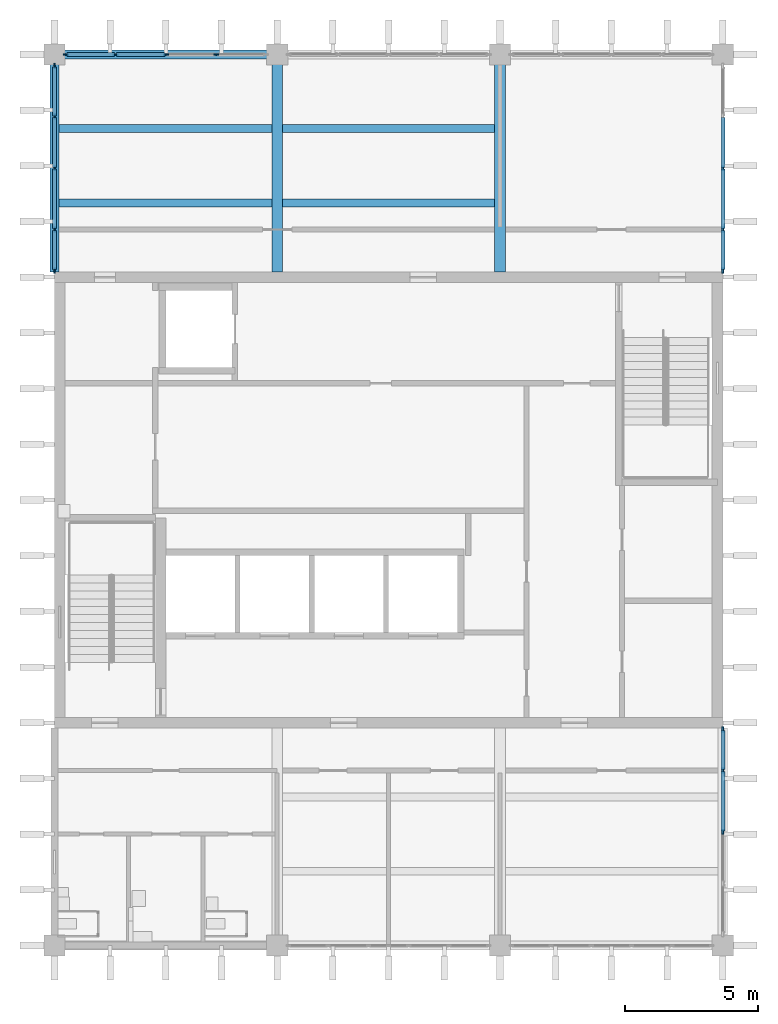
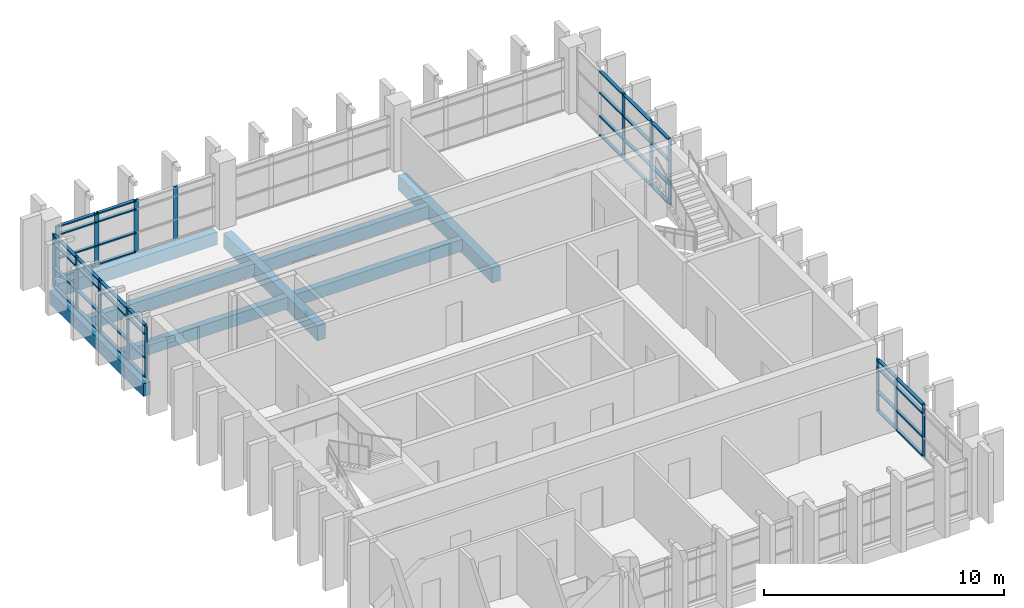
# One storey, part 3 of 11: 59 members, 8 beams, 4 elements without a shape of their own.
"""IFC4 building model written with IfcOpenShell, lengths in metres."""

from ifc_helpers import new_model, si_unit, direction, frame, origin, origin_2d, place, context, subcontext, project, spatial, rectangle, extrude, material, layer, layer_set, material_profile, profile_set, type_object, element, aggregate, save


model = new_model("IFC4")

# Units and contexts
model_context = context("Model", 3, precision=1e-05, world=origin(), true_north=direction((0.0, 1.0)))
body_context = subcontext(model_context, "Body", "Model", "MODEL_VIEW")
ifc_project = project(units=[si_unit("LENGTHUNIT", "METRE"), si_unit("AREAUNIT", "SQUARE_METRE"), si_unit("VOLUMEUNIT", "CUBIC_METRE"), si_unit("PLANEANGLEUNIT", "RADIAN"), si_unit("MASSUNIT", "GRAM", prefix="KILO")], contexts=[model_context])

# Site, building, storey
site_placement = place(None, origin())
site = spatial("IfcSite", under=ifc_project, at=site_placement, CompositionType="ELEMENT")
building_placement = place(site_placement, origin())
building = spatial("IfcBuilding", under=site, at=building_placement, Name="Rulbaag Community and Learning Centre", CompositionType="ELEMENT")
storey_placement = place(building_placement, frame((0.0, 0.0, 43.199951171875)))
storey = spatial("IfcBuildingStorey", under=building, at=storey_placement, Name="L11", CompositionType="ELEMENT", Elevation=43.199951171875)

# Beams
ifc_material_1 = material(Name="Concrete M40", Category="concrete")
ifc_material_profile_1 = material_profile(ifc_material_1, rectangle(XDim=0.35009765625, YDim=0.64990234375, at=origin_2d()), Name="RB350x650")
ifc_profile_set_1 = profile_set([ifc_material_profile_1], Name="Concrete M40")
beam_type_1 = type_object("IfcBeamType", Name="B14 Tower edge beam, upper zone 350x650 Concrete M40", PredefinedType="BEAM", material=ifc_profile_set_1)
beam_1_placement = place(storey_placement, frame((142.800048828125, 109.39990234375, -0.550048828125), z_axis=(0.0, 1.0, 0.0), x_axis=(-1.0, 0.0, 0.0)))
element("IfcBeam", 1, at=beam_1_placement, inside=storey, type_object=beam_type_1, Name="BM-L11-18N-18O", PredefinedType="BEAM", context=body_context, shape_type="SweptSolid", body=[
    extrude(rectangle(XDim=0.35009765625, YDim=0.64990234375, at=origin_2d()), origin(), (0.0, 0.0, 1.0), 7.820068359375),
])
beam_2_placement = place(storey_placement, frame((143.179931640625, 117.60009765625, -0.550048828125), z_axis=(1.0, 0.0, 0.0), x_axis=(0.0, 1.0, 0.0)))
element("IfcBeam", 2, at=beam_2_placement, inside=storey, type_object=beam_type_1, Name="BM-L11-18O-19O", PredefinedType="BEAM", context=body_context, shape_type="SweptSolid", body=[
    extrude(rectangle(XDim=0.35009765625, YDim=0.64990234375, at=origin_2d()), origin(), (0.0, 0.0, 1.0), 7.64013671875),
])
ifc_material_profile_2 = material_profile(ifc_material_1, rectangle(XDim=0.39990234375, YDim=0.75, at=origin_2d()), Name="RB400x750")
ifc_profile_set_2 = profile_set([ifc_material_profile_2], Name="Concrete M40")
beam_type_2 = type_object("IfcBeamType", Name="B15 Tower frame beam, middle zone 400x750 Concrete M40", PredefinedType="BEAM", material=ifc_profile_set_2)
for number, where, z_axis, x_axis, name in (
    (3, (151.199951171875, 109.39990234375, -0.599853515625), (0.0, 1.0, 0.0), (-1.0, 0.0, 0.0), "BM-L11-19N-19O"),
    (4, (159.60009765625, 109.39990234375, -0.599853515625), (0.0, 1.0, 0.0), (-1.0, 0.0, 0.0), "BM-L11-20N-20O"),
):
    element("IfcBeam", number, at=place(storey_placement, frame(where, z_axis=z_axis, x_axis=x_axis)), inside=storey, type_object=beam_type_2, Name=name, PredefinedType="BEAM", context=body_context, shape_type="SweptSolid", body=[
        extrude(rectangle(XDim=0.39990234375, YDim=0.75, at=origin_2d()), origin(), (0.0, 0.0, 1.0), 7.820068359375),
    ])
ifc_material_profile_3 = material_profile(ifc_material_1, rectangle(XDim=0.300048828125, YDim=0.60009765625, at=origin_2d()), Name="RB300x600")
ifc_profile_set_3 = profile_set([ifc_material_profile_3], Name="Concrete M40")
beam_type_3 = type_object("IfcBeamType", Name="B30 Secondary joist 300x600 Concrete M40", PredefinedType="BEAM", material=ifc_profile_set_3)
for number, where, z_axis, x_axis, name in (
    (5, (142.97509765625, 112.0, -0.52490234375), (1.0, 0.0, 0.0), (0.0, 1.0, 0.0), "BM-JS-L11-18N-1"),
    (6, (142.97509765625, 114.800048828125, -0.52490234375), (1.0, 0.0, 0.0), (0.0, 1.0, 0.0), "BM-JS-L11-18N-2"),
):
    element("IfcBeam", number, at=place(storey_placement, frame(where, z_axis=z_axis, x_axis=x_axis)), inside=storey, type_object=beam_type_3, Name=name, PredefinedType="BEAM", context=body_context, shape_type="SweptSolid", body=[
        extrude(rectangle(XDim=0.300048828125, YDim=0.60009765625, at=origin_2d()), origin(), (0.0, 0.0, 1.0), 8.02490234375),
    ])
for number, where, z_axis, x_axis, name in (
    (7, (151.39990234375, 112.0, -0.52490234375), (1.0, 0.0, 0.0), (0.0, 1.0, 0.0), "BM-JS-L11-19N-1"),
    (8, (151.39990234375, 114.800048828125, -0.52490234375), (1.0, 0.0, 0.0), (0.0, 1.0, 0.0), "BM-JS-L11-19N-2"),
):
    element("IfcBeam", number, at=place(storey_placement, frame(where, z_axis=z_axis, x_axis=x_axis)), inside=storey, type_object=beam_type_3, Name=name, PredefinedType="BEAM", context=body_context, shape_type="SweptSolid", body=[
        extrude(rectangle(XDim=0.300048828125, YDim=0.60009765625, at=origin_2d()), origin(), (0.0, 0.0, 1.0), 8.0),
    ])

# Curtain wall, members
ifc_material_2 = material(Name="Aluminium", Category="aluminium")
ifc_layer = layer(ifc_material_2, 0.14990234375)
ifc_layer_set = layer_set([ifc_layer], Name="CW-T")
curtain_wall_type = type_object("IfcCurtainWallType", Name="CW-T", PredefinedType="USERDEFINED", material=ifc_layer_set)
curtain_wall_1_placement = place(storey_placement, origin())
curtain_wall_1 = element("IfcCurtainWall", 9, at=curtain_wall_1_placement, inside=storey, type_object=curtain_wall_type, Name="GT-L11-01", ObjectType="UNITISED CURTAIN WALL", PredefinedType="USERDEFINED")
ifc_material_3 = material(Name="Aluminium mullion", Category="aluminium")
ifc_material_profile_4 = material_profile(ifc_material_3, rectangle(XDim=0.06494140625, YDim=0.199951171875, at=origin_2d()), Name="AL 65x200")
ifc_profile_set_4 = profile_set([ifc_material_profile_4], Name="Aluminium mullion")
member_type_1 = type_object("IfcMemberType", Name="CW-T-MUL", PredefinedType="MULLION", material=ifc_profile_set_4)
member_1_placement = place(storey_placement, frame((143.232421875, 117.60009765625, 0.0), z_axis=(0.0, 0.0, 1.0), x_axis=(0.0, 1.0, 0.0)))
member_1 = element("IfcMember", 10, at=member_1_placement, type_object=member_type_1, Name="GT mullion 1", PredefinedType="MULLION", context=body_context, shape_type="SweptSolid", body=[
    extrude(rectangle(XDim=0.06494140625, YDim=0.199951171875, at=origin_2d()), origin(), (0.0, 0.0, 1.0), 2.650146484375),
])
member_2_placement = place(storey_placement, frame((145.10009765625, 117.60009765625, 0.0), z_axis=(0.0, 0.0, 1.0), x_axis=(0.0, 1.0, 0.0)))
member_2 = element("IfcMember", 11, at=member_2_placement, type_object=member_type_1, Name="GT mullion 2", PredefinedType="MULLION", context=body_context, shape_type="SweptSolid", body=[
    extrude(rectangle(XDim=0.06494140625, YDim=0.199951171875, at=origin_2d()), origin(), (0.0, 0.0, 1.0), 2.650146484375),
])
member_3_placement = place(storey_placement, frame((147.0, 117.60009765625, 0.0), z_axis=(0.0, 0.0, 1.0), x_axis=(0.0, 1.0, 0.0)))
member_3 = element("IfcMember", 12, at=member_3_placement, type_object=member_type_1, Name="GT mullion 3", PredefinedType="MULLION", context=body_context, shape_type="SweptSolid", body=[
    extrude(rectangle(XDim=0.06494140625, YDim=0.199951171875, at=origin_2d()), origin(), (0.0, 0.0, 1.0), 2.650146484375),
])
member_4_placement = place(storey_placement, frame((148.89990234375, 117.60009765625, 0.0), z_axis=(0.0, 0.0, 1.0), x_axis=(0.0, 1.0, 0.0)))
member_4 = element("IfcMember", 13, at=member_4_placement, type_object=member_type_1, Name="GT mullion 4", PredefinedType="MULLION", context=body_context, shape_type="SweptSolid", body=[
    extrude(rectangle(XDim=0.06494140625, YDim=0.199951171875, at=origin_2d()), origin(), (0.0, 0.0, 1.0), 2.650146484375),
])

curtain_wall_2_placement = place(storey_placement, origin())
curtain_wall_2 = element("IfcCurtainWall", 14, at=curtain_wall_2_placement, inside=storey, type_object=curtain_wall_type, Name="GT-L11-04", ObjectType="UNITISED CURTAIN WALL", PredefinedType="USERDEFINED")
member_5_placement = place(storey_placement, frame((142.800048828125, 109.45751953125, 0.0), z_axis=(0.0, 0.0, 1.0), x_axis=(-1.0, 0.0, 0.0)))
member_5 = element("IfcMember", 15, at=member_5_placement, type_object=member_type_1, Name="GT mullion 1", PredefinedType="MULLION", context=body_context, shape_type="SweptSolid", body=[
    extrude(rectangle(XDim=0.06494140625, YDim=0.199951171875, at=origin_2d()), origin(), (0.0, 0.0, 1.0), 2.650146484375),
])
member_6_placement = place(storey_placement, frame((142.800048828125, 111.0, 0.0), z_axis=(0.0, 0.0, 1.0), x_axis=(-1.0, 0.0, 0.0)))
member_6 = element("IfcMember", 16, at=member_6_placement, type_object=member_type_1, Name="GT mullion 2", PredefinedType="MULLION", context=body_context, shape_type="SweptSolid", body=[
    extrude(rectangle(XDim=0.06494140625, YDim=0.199951171875, at=origin_2d()), origin(), (0.0, 0.0, 1.0), 2.650146484375),
])
member_7_placement = place(storey_placement, frame((142.800048828125, 113.3125, 0.0), z_axis=(0.0, 0.0, 1.0), x_axis=(-1.0, 0.0, 0.0)))
member_7 = element("IfcMember", 17, at=member_7_placement, type_object=member_type_1, Name="GT mullion 3", PredefinedType="MULLION", context=body_context, shape_type="SweptSolid", body=[
    extrude(rectangle(XDim=0.06494140625, YDim=0.199951171875, at=origin_2d()), origin(), (0.0, 0.0, 1.0), 2.650146484375),
])
member_8_placement = place(storey_placement, frame((142.800048828125, 115.25634765625, 0.0), z_axis=(0.0, 0.0, 1.0), x_axis=(-1.0, 0.0, 0.0)))
member_8 = element("IfcMember", 18, at=member_8_placement, type_object=member_type_1, Name="GT mullion 4", PredefinedType="MULLION", context=body_context, shape_type="SweptSolid", body=[
    extrude(rectangle(XDim=0.06494140625, YDim=0.199951171875, at=origin_2d()), origin(), (0.0, 0.0, 1.0), 2.650146484375),
])
member_9_placement = place(storey_placement, frame((142.800048828125, 117.16748046875, 0.0), z_axis=(0.0, 0.0, 1.0), x_axis=(-1.0, 0.0, 0.0)))
member_9 = element("IfcMember", 19, at=member_9_placement, type_object=member_type_1, Name="GT mullion 5", PredefinedType="MULLION", context=body_context, shape_type="SweptSolid", body=[
    extrude(rectangle(XDim=0.06494140625, YDim=0.199951171875, at=origin_2d()), origin(), (0.0, 0.0, 1.0), 2.650146484375),
])

curtain_wall_3_placement = place(storey_placement, origin())
curtain_wall_3 = element("IfcCurtainWall", 20, at=curtain_wall_3_placement, inside=storey, type_object=curtain_wall_type, Name="GT-L11-05", ObjectType="UNITISED CURTAIN WALL", PredefinedType="USERDEFINED")
member_10_placement = place(storey_placement, frame((168.0, 88.28759765625, 0.0), z_axis=(0.0, 0.0, 1.0), x_axis=(-1.0, 0.0, 0.0)))
member_10 = element("IfcMember", 21, at=member_10_placement, type_object=member_type_1, Name="GT mullion 3", PredefinedType="MULLION", context=body_context, shape_type="SweptSolid", body=[
    extrude(rectangle(XDim=0.06494140625, YDim=0.199951171875, at=origin_2d()), origin(), (0.0, 0.0, 1.0), 2.650146484375),
])
member_11_placement = place(storey_placement, frame((168.0, 90.60009765625, 0.0), z_axis=(0.0, 0.0, 1.0), x_axis=(-1.0, 0.0, 0.0)))
member_11 = element("IfcMember", 22, at=member_11_placement, type_object=member_type_1, Name="GT mullion 4", PredefinedType="MULLION", context=body_context, shape_type="SweptSolid", body=[
    extrude(rectangle(XDim=0.06494140625, YDim=0.199951171875, at=origin_2d()), origin(), (0.0, 0.0, 1.0), 2.650146484375),
])
member_12_placement = place(storey_placement, frame((168.0, 92.142578125, 0.0), z_axis=(0.0, 0.0, 1.0), x_axis=(-1.0, 0.0, 0.0)))
member_12 = element("IfcMember", 23, at=member_12_placement, type_object=member_type_1, Name="GT mullion 5", PredefinedType="MULLION", context=body_context, shape_type="SweptSolid", body=[
    extrude(rectangle(XDim=0.06494140625, YDim=0.199951171875, at=origin_2d()), origin(), (0.0, 0.0, 1.0), 2.650146484375),
])

curtain_wall_4_placement = place(storey_placement, origin())
curtain_wall_4 = element("IfcCurtainWall", 24, at=curtain_wall_4_placement, inside=storey, type_object=curtain_wall_type, Name="GT-L11-06", ObjectType="UNITISED CURTAIN WALL", PredefinedType="USERDEFINED")
member_13_placement = place(storey_placement, frame((168.0, 109.45751953125, 0.0), z_axis=(0.0, 0.0, 1.0), x_axis=(-1.0, 0.0, 0.0)))
member_13 = element("IfcMember", 25, at=member_13_placement, type_object=member_type_1, Name="GT mullion 1", PredefinedType="MULLION", context=body_context, shape_type="SweptSolid", body=[
    extrude(rectangle(XDim=0.06494140625, YDim=0.199951171875, at=origin_2d()), origin(), (0.0, 0.0, 1.0), 3.300048828125),
])
member_14_placement = place(storey_placement, frame((168.0, 111.0, 0.0), z_axis=(0.0, 0.0, 1.0), x_axis=(-1.0, 0.0, 0.0)))
member_14 = element("IfcMember", 26, at=member_14_placement, type_object=member_type_1, Name="GT mullion 2", PredefinedType="MULLION", context=body_context, shape_type="SweptSolid", body=[
    extrude(rectangle(XDim=0.06494140625, YDim=0.199951171875, at=origin_2d()), origin(), (0.0, 0.0, 1.0), 3.300048828125),
])
member_15_placement = place(storey_placement, frame((168.0, 113.3125, 0.0), z_axis=(0.0, 0.0, 1.0), x_axis=(-1.0, 0.0, 0.0)))
member_15 = element("IfcMember", 27, at=member_15_placement, type_object=member_type_1, Name="GT mullion 3", PredefinedType="MULLION", context=body_context, shape_type="SweptSolid", body=[
    extrude(rectangle(XDim=0.06494140625, YDim=0.199951171875, at=origin_2d()), origin(), (0.0, 0.0, 1.0), 3.300048828125),
])

# Member
ifc_material_4 = material(Name="Aluminium transom", Category="aluminium")
ifc_material_profile_5 = material_profile(ifc_material_4, rectangle(XDim=0.14990234375, YDim=0.06494140625, at=origin_2d()), Name="AL 65x150 T")
ifc_profile_set_5 = profile_set([ifc_material_profile_5], Name="Aluminium transom")
member_type_2 = type_object("IfcMemberType", Name="CW-T-TRN", PredefinedType="USERDEFINED", material=ifc_profile_set_5)
member_16_placement = place(storey_placement, frame((143.264892578125, 117.60009765625, 0.032470703125), z_axis=(1.0, 0.0, 0.0), x_axis=(0.0, 1.0, 0.0)))
member_16 = element("IfcMember", 28, at=member_16_placement, type_object=member_type_2, Name="GT transom 1.1", ObjectType="TRANSOM", PredefinedType="USERDEFINED", context=body_context, shape_type="SweptSolid", body=[
    extrude(rectangle(XDim=0.14990234375, YDim=0.06494140625, at=origin_2d()), origin(), (0.0, 0.0, 1.0), 1.802490234375),
])

member_17_placement = place(storey_placement, frame((143.264892578125, 117.60009765625, 1.0), z_axis=(1.0, 0.0, 0.0), x_axis=(0.0, 1.0, 0.0)))
member_17 = element("IfcMember", 29, at=member_17_placement, type_object=member_type_2, Name="GT transom 1.2", ObjectType="TRANSOM", PredefinedType="USERDEFINED", context=body_context, shape_type="SweptSolid", body=[
    extrude(rectangle(XDim=0.14990234375, YDim=0.06494140625, at=origin_2d()), origin(), (0.0, 0.0, 1.0), 1.802490234375),
])

member_18_placement = place(storey_placement, frame((143.264892578125, 117.60009765625, 2.199951171875), z_axis=(1.0, 0.0, 0.0), x_axis=(0.0, 1.0, 0.0)))
member_18 = element("IfcMember", 30, at=member_18_placement, type_object=member_type_2, Name="GT transom 1.3", ObjectType="TRANSOM", PredefinedType="USERDEFINED", context=body_context, shape_type="SweptSolid", body=[
    extrude(rectangle(XDim=0.14990234375, YDim=0.06494140625, at=origin_2d()), origin(), (0.0, 0.0, 1.0), 1.802490234375),
])

member_19_placement = place(storey_placement, frame((143.264892578125, 117.60009765625, 2.617431640625), z_axis=(1.0, 0.0, 0.0), x_axis=(0.0, 1.0, 0.0)))
member_19 = element("IfcMember", 31, at=member_19_placement, type_object=member_type_2, Name="GT transom 1.4", ObjectType="TRANSOM", PredefinedType="USERDEFINED", context=body_context, shape_type="SweptSolid", body=[
    extrude(rectangle(XDim=0.14990234375, YDim=0.06494140625, at=origin_2d()), origin(), (0.0, 0.0, 1.0), 1.802490234375),
])

member_20_placement = place(storey_placement, frame((145.132568359375, 117.60009765625, 0.032470703125), z_axis=(1.0, 0.0, 0.0), x_axis=(0.0, 1.0, 0.0)))
member_20 = element("IfcMember", 32, at=member_20_placement, type_object=member_type_2, Name="GT transom 2.1", ObjectType="TRANSOM", PredefinedType="USERDEFINED", context=body_context, shape_type="SweptSolid", body=[
    extrude(rectangle(XDim=0.14990234375, YDim=0.06494140625, at=origin_2d()), origin(), (0.0, 0.0, 1.0), 1.8349609375),
])

member_21_placement = place(storey_placement, frame((145.132568359375, 117.60009765625, 1.0), z_axis=(1.0, 0.0, 0.0), x_axis=(0.0, 1.0, 0.0)))
member_21 = element("IfcMember", 33, at=member_21_placement, type_object=member_type_2, Name="GT transom 2.2", ObjectType="TRANSOM", PredefinedType="USERDEFINED", context=body_context, shape_type="SweptSolid", body=[
    extrude(rectangle(XDim=0.14990234375, YDim=0.06494140625, at=origin_2d()), origin(), (0.0, 0.0, 1.0), 1.8349609375),
])

member_22_placement = place(storey_placement, frame((145.132568359375, 117.60009765625, 2.199951171875), z_axis=(1.0, 0.0, 0.0), x_axis=(0.0, 1.0, 0.0)))
member_22 = element("IfcMember", 34, at=member_22_placement, type_object=member_type_2, Name="GT transom 2.3", ObjectType="TRANSOM", PredefinedType="USERDEFINED", context=body_context, shape_type="SweptSolid", body=[
    extrude(rectangle(XDim=0.14990234375, YDim=0.06494140625, at=origin_2d()), origin(), (0.0, 0.0, 1.0), 1.8349609375),
])

member_23_placement = place(storey_placement, frame((145.132568359375, 117.60009765625, 2.617431640625), z_axis=(1.0, 0.0, 0.0), x_axis=(0.0, 1.0, 0.0)))
member_23 = element("IfcMember", 35, at=member_23_placement, type_object=member_type_2, Name="GT transom 2.4", ObjectType="TRANSOM", PredefinedType="USERDEFINED", context=body_context, shape_type="SweptSolid", body=[
    extrude(rectangle(XDim=0.14990234375, YDim=0.06494140625, at=origin_2d()), origin(), (0.0, 0.0, 1.0), 1.8349609375),
])

aggregate(curtain_wall_1, [member_1, member_2, member_3, member_4, member_16, member_17, member_18, member_19, member_20, member_21, member_22, member_23])

member_24_placement = place(storey_placement, frame((142.800048828125, 109.489990234375, 0.032470703125), z_axis=(0.0, 1.0, 0.0), x_axis=(-1.0, 0.0, 0.0)))
member_24 = element("IfcMember", 36, at=member_24_placement, type_object=member_type_2, Name="GT transom 1.1", ObjectType="TRANSOM", PredefinedType="USERDEFINED", context=body_context, shape_type="SweptSolid", body=[
    extrude(rectangle(XDim=0.14990234375, YDim=0.06494140625, at=origin_2d()), origin(), (0.0, 0.0, 1.0), 1.4775390625),
])

member_25_placement = place(storey_placement, frame((142.800048828125, 109.489990234375, 1.0), z_axis=(0.0, 1.0, 0.0), x_axis=(-1.0, 0.0, 0.0)))
member_25 = element("IfcMember", 37, at=member_25_placement, type_object=member_type_2, Name="GT transom 1.2", ObjectType="TRANSOM", PredefinedType="USERDEFINED", context=body_context, shape_type="SweptSolid", body=[
    extrude(rectangle(XDim=0.14990234375, YDim=0.06494140625, at=origin_2d()), origin(), (0.0, 0.0, 1.0), 1.4775390625),
])

member_26_placement = place(storey_placement, frame((142.800048828125, 109.489990234375, 2.199951171875), z_axis=(0.0, 1.0, 0.0), x_axis=(-1.0, 0.0, 0.0)))
member_26 = element("IfcMember", 38, at=member_26_placement, type_object=member_type_2, Name="GT transom 1.3", ObjectType="TRANSOM", PredefinedType="USERDEFINED", context=body_context, shape_type="SweptSolid", body=[
    extrude(rectangle(XDim=0.14990234375, YDim=0.06494140625, at=origin_2d()), origin(), (0.0, 0.0, 1.0), 1.4775390625),
])

member_27_placement = place(storey_placement, frame((142.800048828125, 109.489990234375, 2.617431640625), z_axis=(0.0, 1.0, 0.0), x_axis=(-1.0, 0.0, 0.0)))
member_27 = element("IfcMember", 39, at=member_27_placement, type_object=member_type_2, Name="GT transom 1.4", ObjectType="TRANSOM", PredefinedType="USERDEFINED", context=body_context, shape_type="SweptSolid", body=[
    extrude(rectangle(XDim=0.14990234375, YDim=0.06494140625, at=origin_2d()), origin(), (0.0, 0.0, 1.0), 1.4775390625),
])

member_28_placement = place(storey_placement, frame((142.800048828125, 111.032470703125, 0.032470703125), z_axis=(0.0, 1.0, 0.0), x_axis=(-1.0, 0.0, 0.0)))
member_28 = element("IfcMember", 40, at=member_28_placement, type_object=member_type_2, Name="GT transom 2.1", ObjectType="TRANSOM", PredefinedType="USERDEFINED", context=body_context, shape_type="SweptSolid", body=[
    extrude(rectangle(XDim=0.14990234375, YDim=0.06494140625, at=origin_2d()), origin(), (0.0, 0.0, 1.0), 2.24755859375),
])

member_29_placement = place(storey_placement, frame((142.800048828125, 111.032470703125, 1.0), z_axis=(0.0, 1.0, 0.0), x_axis=(-1.0, 0.0, 0.0)))
member_29 = element("IfcMember", 41, at=member_29_placement, type_object=member_type_2, Name="GT transom 2.2", ObjectType="TRANSOM", PredefinedType="USERDEFINED", context=body_context, shape_type="SweptSolid", body=[
    extrude(rectangle(XDim=0.14990234375, YDim=0.06494140625, at=origin_2d()), origin(), (0.0, 0.0, 1.0), 2.24755859375),
])

member_30_placement = place(storey_placement, frame((142.800048828125, 111.032470703125, 2.199951171875), z_axis=(0.0, 1.0, 0.0), x_axis=(-1.0, 0.0, 0.0)))
member_30 = element("IfcMember", 42, at=member_30_placement, type_object=member_type_2, Name="GT transom 2.3", ObjectType="TRANSOM", PredefinedType="USERDEFINED", context=body_context, shape_type="SweptSolid", body=[
    extrude(rectangle(XDim=0.14990234375, YDim=0.06494140625, at=origin_2d()), origin(), (0.0, 0.0, 1.0), 2.24755859375),
])

member_31_placement = place(storey_placement, frame((142.800048828125, 111.032470703125, 2.617431640625), z_axis=(0.0, 1.0, 0.0), x_axis=(-1.0, 0.0, 0.0)))
member_31 = element("IfcMember", 43, at=member_31_placement, type_object=member_type_2, Name="GT transom 2.4", ObjectType="TRANSOM", PredefinedType="USERDEFINED", context=body_context, shape_type="SweptSolid", body=[
    extrude(rectangle(XDim=0.14990234375, YDim=0.06494140625, at=origin_2d()), origin(), (0.0, 0.0, 1.0), 2.24755859375),
])

member_32_placement = place(storey_placement, frame((142.800048828125, 113.344970703125, 0.032470703125), z_axis=(0.0, 1.0, 0.0), x_axis=(-1.0, 0.0, 0.0)))
member_32 = element("IfcMember", 44, at=member_32_placement, type_object=member_type_2, Name="GT transom 3.1", ObjectType="TRANSOM", PredefinedType="USERDEFINED", context=body_context, shape_type="SweptSolid", body=[
    extrude(rectangle(XDim=0.14990234375, YDim=0.06494140625, at=origin_2d()), origin(), (0.0, 0.0, 1.0), 1.878662109375),
])

member_33_placement = place(storey_placement, frame((142.800048828125, 113.344970703125, 1.0), z_axis=(0.0, 1.0, 0.0), x_axis=(-1.0, 0.0, 0.0)))
member_33 = element("IfcMember", 45, at=member_33_placement, type_object=member_type_2, Name="GT transom 3.2", ObjectType="TRANSOM", PredefinedType="USERDEFINED", context=body_context, shape_type="SweptSolid", body=[
    extrude(rectangle(XDim=0.14990234375, YDim=0.06494140625, at=origin_2d()), origin(), (0.0, 0.0, 1.0), 1.878662109375),
])

member_34_placement = place(storey_placement, frame((142.800048828125, 113.344970703125, 2.199951171875), z_axis=(0.0, 1.0, 0.0), x_axis=(-1.0, 0.0, 0.0)))
member_34 = element("IfcMember", 46, at=member_34_placement, type_object=member_type_2, Name="GT transom 3.3", ObjectType="TRANSOM", PredefinedType="USERDEFINED", context=body_context, shape_type="SweptSolid", body=[
    extrude(rectangle(XDim=0.14990234375, YDim=0.06494140625, at=origin_2d()), origin(), (0.0, 0.0, 1.0), 1.878662109375),
])

member_35_placement = place(storey_placement, frame((142.800048828125, 113.344970703125, 2.617431640625), z_axis=(0.0, 1.0, 0.0), x_axis=(-1.0, 0.0, 0.0)))
member_35 = element("IfcMember", 47, at=member_35_placement, type_object=member_type_2, Name="GT transom 3.4", ObjectType="TRANSOM", PredefinedType="USERDEFINED", context=body_context, shape_type="SweptSolid", body=[
    extrude(rectangle(XDim=0.14990234375, YDim=0.06494140625, at=origin_2d()), origin(), (0.0, 0.0, 1.0), 1.878662109375),
])

member_36_placement = place(storey_placement, frame((142.800048828125, 115.288818359375, 0.032470703125), z_axis=(0.0, 1.0, 0.0), x_axis=(-1.0, 0.0, 0.0)))
member_36 = element("IfcMember", 48, at=member_36_placement, type_object=member_type_2, Name="GT transom 4.1", ObjectType="TRANSOM", PredefinedType="USERDEFINED", context=body_context, shape_type="SweptSolid", body=[
    extrude(rectangle(XDim=0.14990234375, YDim=0.06494140625, at=origin_2d()), origin(), (0.0, 0.0, 1.0), 1.84619140625),
])

member_37_placement = place(storey_placement, frame((142.800048828125, 115.288818359375, 1.0), z_axis=(0.0, 1.0, 0.0), x_axis=(-1.0, 0.0, 0.0)))
member_37 = element("IfcMember", 49, at=member_37_placement, type_object=member_type_2, Name="GT transom 4.2", ObjectType="TRANSOM", PredefinedType="USERDEFINED", context=body_context, shape_type="SweptSolid", body=[
    extrude(rectangle(XDim=0.14990234375, YDim=0.06494140625, at=origin_2d()), origin(), (0.0, 0.0, 1.0), 1.84619140625),
])

member_38_placement = place(storey_placement, frame((142.800048828125, 115.288818359375, 2.199951171875), z_axis=(0.0, 1.0, 0.0), x_axis=(-1.0, 0.0, 0.0)))
member_38 = element("IfcMember", 50, at=member_38_placement, type_object=member_type_2, Name="GT transom 4.3", ObjectType="TRANSOM", PredefinedType="USERDEFINED", context=body_context, shape_type="SweptSolid", body=[
    extrude(rectangle(XDim=0.14990234375, YDim=0.06494140625, at=origin_2d()), origin(), (0.0, 0.0, 1.0), 1.84619140625),
])

member_39_placement = place(storey_placement, frame((142.800048828125, 115.288818359375, 2.617431640625), z_axis=(0.0, 1.0, 0.0), x_axis=(-1.0, 0.0, 0.0)))
member_39 = element("IfcMember", 51, at=member_39_placement, type_object=member_type_2, Name="GT transom 4.4", ObjectType="TRANSOM", PredefinedType="USERDEFINED", context=body_context, shape_type="SweptSolid", body=[
    extrude(rectangle(XDim=0.14990234375, YDim=0.06494140625, at=origin_2d()), origin(), (0.0, 0.0, 1.0), 1.84619140625),
])

aggregate(curtain_wall_2, [member_5, member_6, member_7, member_8, member_9, member_24, member_25, member_26, member_27, member_28, member_29, member_30, member_31, member_32, member_33, member_34, member_35, member_36, member_37, member_38, member_39])

member_40_placement = place(storey_placement, frame((168.0, 88.320068359375, 0.032470703125), z_axis=(0.0, 1.0, 0.0), x_axis=(-1.0, 0.0, 0.0)))
member_40 = element("IfcMember", 52, at=member_40_placement, type_object=member_type_2, Name="GT transom 3.1", ObjectType="TRANSOM", PredefinedType="USERDEFINED", context=body_context, shape_type="SweptSolid", body=[
    extrude(rectangle(XDim=0.14990234375, YDim=0.06494140625, at=origin_2d()), origin(), (0.0, 0.0, 1.0), 2.247314453125),
])

member_41_placement = place(storey_placement, frame((168.0, 88.320068359375, 1.0), z_axis=(0.0, 1.0, 0.0), x_axis=(-1.0, 0.0, 0.0)))
member_41 = element("IfcMember", 53, at=member_41_placement, type_object=member_type_2, Name="GT transom 3.2", ObjectType="TRANSOM", PredefinedType="USERDEFINED", context=body_context, shape_type="SweptSolid", body=[
    extrude(rectangle(XDim=0.14990234375, YDim=0.06494140625, at=origin_2d()), origin(), (0.0, 0.0, 1.0), 2.247314453125),
])

member_42_placement = place(storey_placement, frame((168.0, 88.320068359375, 2.199951171875), z_axis=(0.0, 1.0, 0.0), x_axis=(-1.0, 0.0, 0.0)))
member_42 = element("IfcMember", 54, at=member_42_placement, type_object=member_type_2, Name="GT transom 3.3", ObjectType="TRANSOM", PredefinedType="USERDEFINED", context=body_context, shape_type="SweptSolid", body=[
    extrude(rectangle(XDim=0.14990234375, YDim=0.06494140625, at=origin_2d()), origin(), (0.0, 0.0, 1.0), 2.247314453125),
])

member_43_placement = place(storey_placement, frame((168.0, 88.320068359375, 2.617431640625), z_axis=(0.0, 1.0, 0.0), x_axis=(-1.0, 0.0, 0.0)))
member_43 = element("IfcMember", 55, at=member_43_placement, type_object=member_type_2, Name="GT transom 3.4", ObjectType="TRANSOM", PredefinedType="USERDEFINED", context=body_context, shape_type="SweptSolid", body=[
    extrude(rectangle(XDim=0.14990234375, YDim=0.06494140625, at=origin_2d()), origin(), (0.0, 0.0, 1.0), 2.247314453125),
])

member_44_placement = place(storey_placement, frame((168.0, 90.632568359375, 0.032470703125), z_axis=(0.0, 1.0, 0.0), x_axis=(-1.0, 0.0, 0.0)))
member_44 = element("IfcMember", 56, at=member_44_placement, type_object=member_type_2, Name="GT transom 4.1", ObjectType="TRANSOM", PredefinedType="USERDEFINED", context=body_context, shape_type="SweptSolid", body=[
    extrude(rectangle(XDim=0.14990234375, YDim=0.06494140625, at=origin_2d()), origin(), (0.0, 0.0, 1.0), 1.4775390625),
])

member_45_placement = place(storey_placement, frame((168.0, 90.632568359375, 1.0), z_axis=(0.0, 1.0, 0.0), x_axis=(-1.0, 0.0, 0.0)))
member_45 = element("IfcMember", 57, at=member_45_placement, type_object=member_type_2, Name="GT transom 4.2", ObjectType="TRANSOM", PredefinedType="USERDEFINED", context=body_context, shape_type="SweptSolid", body=[
    extrude(rectangle(XDim=0.14990234375, YDim=0.06494140625, at=origin_2d()), origin(), (0.0, 0.0, 1.0), 1.4775390625),
])

member_46_placement = place(storey_placement, frame((168.0, 90.632568359375, 2.199951171875), z_axis=(0.0, 1.0, 0.0), x_axis=(-1.0, 0.0, 0.0)))
member_46 = element("IfcMember", 58, at=member_46_placement, type_object=member_type_2, Name="GT transom 4.3", ObjectType="TRANSOM", PredefinedType="USERDEFINED", context=body_context, shape_type="SweptSolid", body=[
    extrude(rectangle(XDim=0.14990234375, YDim=0.06494140625, at=origin_2d()), origin(), (0.0, 0.0, 1.0), 1.4775390625),
])

member_47_placement = place(storey_placement, frame((168.0, 90.632568359375, 2.617431640625), z_axis=(0.0, 1.0, 0.0), x_axis=(-1.0, 0.0, 0.0)))
member_47 = element("IfcMember", 59, at=member_47_placement, type_object=member_type_2, Name="GT transom 4.4", ObjectType="TRANSOM", PredefinedType="USERDEFINED", context=body_context, shape_type="SweptSolid", body=[
    extrude(rectangle(XDim=0.14990234375, YDim=0.06494140625, at=origin_2d()), origin(), (0.0, 0.0, 1.0), 1.4775390625),
])

aggregate(curtain_wall_3, [member_10, member_11, member_12, member_40, member_41, member_42, member_43, member_44, member_45, member_46, member_47])

member_48_placement = place(storey_placement, frame((168.0, 109.489990234375, 0.032470703125), z_axis=(0.0, 1.0, 0.0), x_axis=(-1.0, 0.0, 0.0)))
member_48 = element("IfcMember", 60, at=member_48_placement, type_object=member_type_2, Name="GT transom 1.1", ObjectType="TRANSOM", PredefinedType="USERDEFINED", context=body_context, shape_type="SweptSolid", body=[
    extrude(rectangle(XDim=0.14990234375, YDim=0.06494140625, at=origin_2d()), origin(), (0.0, 0.0, 1.0), 1.4775390625),
])

member_49_placement = place(storey_placement, frame((168.0, 109.489990234375, 1.0), z_axis=(0.0, 1.0, 0.0), x_axis=(-1.0, 0.0, 0.0)))
member_49 = element("IfcMember", 61, at=member_49_placement, type_object=member_type_2, Name="GT transom 1.2", ObjectType="TRANSOM", PredefinedType="USERDEFINED", context=body_context, shape_type="SweptSolid", body=[
    extrude(rectangle(XDim=0.14990234375, YDim=0.06494140625, at=origin_2d()), origin(), (0.0, 0.0, 1.0), 1.4775390625),
])

member_50_placement = place(storey_placement, frame((168.0, 109.489990234375, 2.199951171875), z_axis=(0.0, 1.0, 0.0), x_axis=(-1.0, 0.0, 0.0)))
member_50 = element("IfcMember", 62, at=member_50_placement, type_object=member_type_2, Name="GT transom 1.3", ObjectType="TRANSOM", PredefinedType="USERDEFINED", context=body_context, shape_type="SweptSolid", body=[
    extrude(rectangle(XDim=0.14990234375, YDim=0.06494140625, at=origin_2d()), origin(), (0.0, 0.0, 1.0), 1.4775390625),
])

member_51_placement = place(storey_placement, frame((168.0, 109.489990234375, 3.267578125), z_axis=(0.0, 1.0, 0.0), x_axis=(-1.0, 0.0, 0.0)))
member_51 = element("IfcMember", 63, at=member_51_placement, type_object=member_type_2, Name="GT transom 1.4", ObjectType="TRANSOM", PredefinedType="USERDEFINED", context=body_context, shape_type="SweptSolid", body=[
    extrude(rectangle(XDim=0.14990234375, YDim=0.06494140625, at=origin_2d()), origin(), (0.0, 0.0, 1.0), 1.4775390625),
])

member_52_placement = place(storey_placement, frame((168.0, 111.032470703125, 0.032470703125), z_axis=(0.0, 1.0, 0.0), x_axis=(-1.0, 0.0, 0.0)))
member_52 = element("IfcMember", 64, at=member_52_placement, type_object=member_type_2, Name="GT transom 2.1", ObjectType="TRANSOM", PredefinedType="USERDEFINED", context=body_context, shape_type="SweptSolid", body=[
    extrude(rectangle(XDim=0.14990234375, YDim=0.06494140625, at=origin_2d()), origin(), (0.0, 0.0, 1.0), 2.24755859375),
])

member_53_placement = place(storey_placement, frame((168.0, 111.032470703125, 1.0), z_axis=(0.0, 1.0, 0.0), x_axis=(-1.0, 0.0, 0.0)))
member_53 = element("IfcMember", 65, at=member_53_placement, type_object=member_type_2, Name="GT transom 2.2", ObjectType="TRANSOM", PredefinedType="USERDEFINED", context=body_context, shape_type="SweptSolid", body=[
    extrude(rectangle(XDim=0.14990234375, YDim=0.06494140625, at=origin_2d()), origin(), (0.0, 0.0, 1.0), 2.24755859375),
])

member_54_placement = place(storey_placement, frame((168.0, 111.032470703125, 2.199951171875), z_axis=(0.0, 1.0, 0.0), x_axis=(-1.0, 0.0, 0.0)))
member_54 = element("IfcMember", 66, at=member_54_placement, type_object=member_type_2, Name="GT transom 2.3", ObjectType="TRANSOM", PredefinedType="USERDEFINED", context=body_context, shape_type="SweptSolid", body=[
    extrude(rectangle(XDim=0.14990234375, YDim=0.06494140625, at=origin_2d()), origin(), (0.0, 0.0, 1.0), 2.24755859375),
])

member_55_placement = place(storey_placement, frame((168.0, 111.032470703125, 3.267578125), z_axis=(0.0, 1.0, 0.0), x_axis=(-1.0, 0.0, 0.0)))
member_55 = element("IfcMember", 67, at=member_55_placement, type_object=member_type_2, Name="GT transom 2.4", ObjectType="TRANSOM", PredefinedType="USERDEFINED", context=body_context, shape_type="SweptSolid", body=[
    extrude(rectangle(XDim=0.14990234375, YDim=0.06494140625, at=origin_2d()), origin(), (0.0, 0.0, 1.0), 2.24755859375),
])

member_56_placement = place(storey_placement, frame((168.0, 113.344970703125, 0.032470703125), z_axis=(0.0, 1.0, 0.0), x_axis=(-1.0, 0.0, 0.0)))
member_56 = element("IfcMember", 68, at=member_56_placement, type_object=member_type_2, Name="GT transom 3.1", ObjectType="TRANSOM", PredefinedType="USERDEFINED", context=body_context, shape_type="SweptSolid", body=[
    extrude(rectangle(XDim=0.14990234375, YDim=0.06494140625, at=origin_2d()), origin(), (0.0, 0.0, 1.0), 1.878662109375),
])

member_57_placement = place(storey_placement, frame((168.0, 113.344970703125, 1.0), z_axis=(0.0, 1.0, 0.0), x_axis=(-1.0, 0.0, 0.0)))
member_57 = element("IfcMember", 69, at=member_57_placement, type_object=member_type_2, Name="GT transom 3.2", ObjectType="TRANSOM", PredefinedType="USERDEFINED", context=body_context, shape_type="SweptSolid", body=[
    extrude(rectangle(XDim=0.14990234375, YDim=0.06494140625, at=origin_2d()), origin(), (0.0, 0.0, 1.0), 1.878662109375),
])

member_58_placement = place(storey_placement, frame((168.0, 113.344970703125, 2.199951171875), z_axis=(0.0, 1.0, 0.0), x_axis=(-1.0, 0.0, 0.0)))
member_58 = element("IfcMember", 70, at=member_58_placement, type_object=member_type_2, Name="GT transom 3.3", ObjectType="TRANSOM", PredefinedType="USERDEFINED", context=body_context, shape_type="SweptSolid", body=[
    extrude(rectangle(XDim=0.14990234375, YDim=0.06494140625, at=origin_2d()), origin(), (0.0, 0.0, 1.0), 1.878662109375),
])

member_59_placement = place(storey_placement, frame((168.0, 113.344970703125, 3.267578125), z_axis=(0.0, 1.0, 0.0), x_axis=(-1.0, 0.0, 0.0)))
member_59 = element("IfcMember", 71, at=member_59_placement, type_object=member_type_2, Name="GT transom 3.4", ObjectType="TRANSOM", PredefinedType="USERDEFINED", context=body_context, shape_type="SweptSolid", body=[
    extrude(rectangle(XDim=0.14990234375, YDim=0.06494140625, at=origin_2d()), origin(), (0.0, 0.0, 1.0), 1.878662109375),
])

aggregate(curtain_wall_4, [member_13, member_14, member_15, member_48, member_49, member_50, member_51, member_52, member_53, member_54, member_55, member_56, member_57, member_58, member_59])

save(model, "model.ifc")
